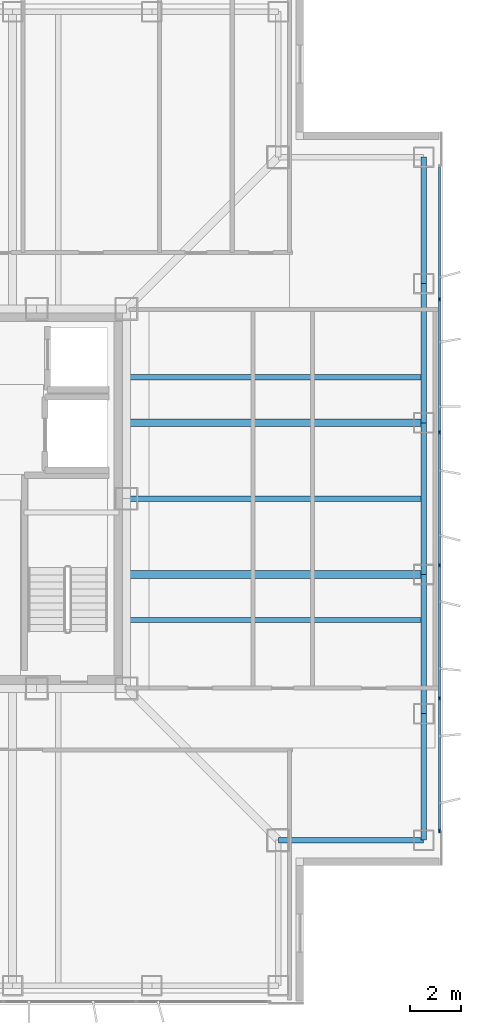
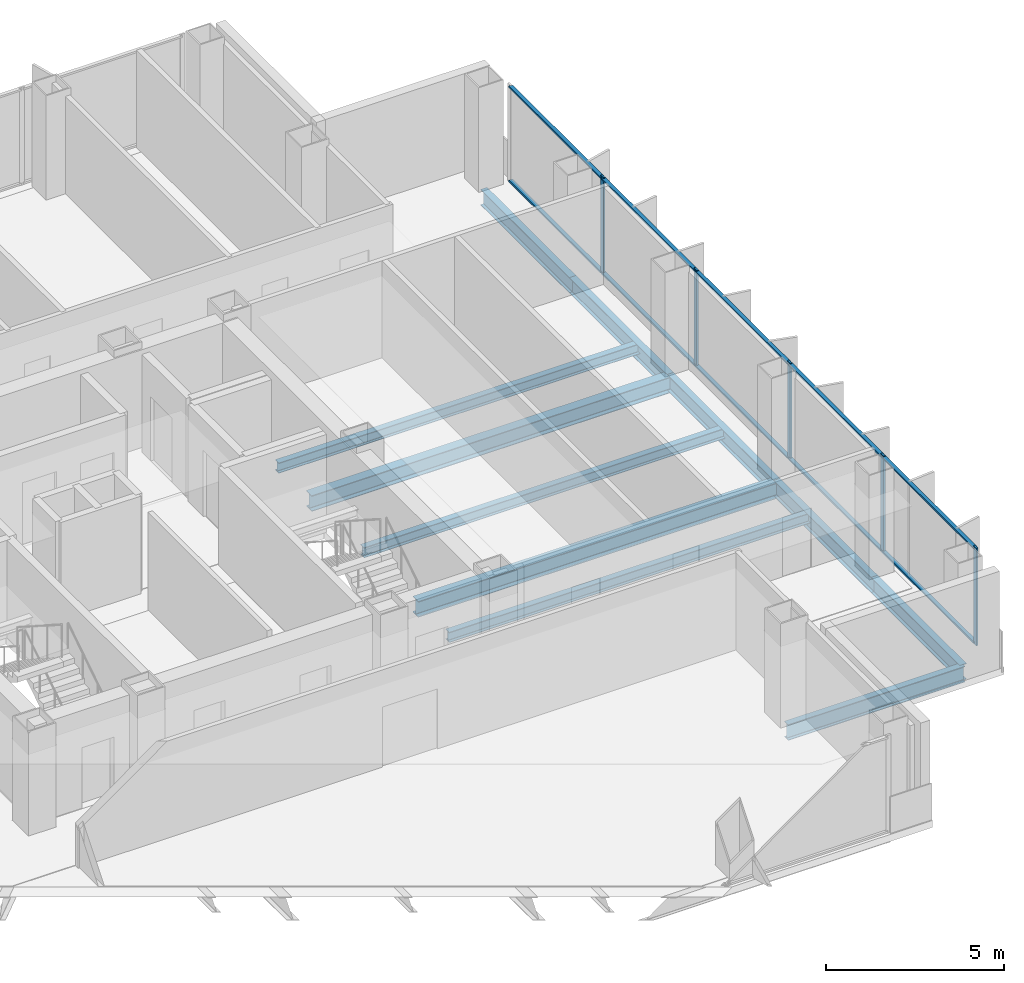
# One storey, part 6 of 17: 15 members, 11 beams, 1 element without a shape of its own.
"""IFC4 building model written with IfcOpenShell, lengths in metres."""

from ifc_helpers import new_model, si_unit, direction, frame, origin, origin_2d, place, context, subcontext, project, spatial, rectangle, i_section, extrude, material, layer, layer_set, material_profile, profile_set, type_object, element, aggregate, save


model = new_model("IFC4")

# Units and contexts
model_context = context("Model", 3, precision=1e-05, world=origin(), true_north=direction((0.0, 1.0)))
body_context = subcontext(model_context, "Body", "Model", "MODEL_VIEW")
ifc_project = project(units=[si_unit("LENGTHUNIT", "METRE"), si_unit("AREAUNIT", "SQUARE_METRE"), si_unit("VOLUMEUNIT", "CUBIC_METRE"), si_unit("PLANEANGLEUNIT", "RADIAN"), si_unit("MASSUNIT", "GRAM", prefix="KILO")], contexts=[model_context])

# Site, building, storey
site_placement = place(None, origin())
site = spatial("IfcSite", under=ifc_project, at=site_placement, CompositionType="ELEMENT")
building_placement = place(site_placement, origin())
building = spatial("IfcBuilding", under=site, at=building_placement, Name="Trevonay Congress Spire", CompositionType="ELEMENT")
storey_placement = place(building_placement, frame((0.0, 0.0, 184.199951171875)))
storey = spatial("IfcBuildingStorey", under=building, at=storey_placement, Name="L47", CompositionType="ELEMENT", Elevation=184.199951171875)

# Beams
ifc_material_1 = material(Name="Steel ASTM A572 Grade 50", Category="steel")
ifc_material_profile_1 = material_profile(ifc_material_1, i_section(OverallWidth=0.31201171875, OverallDepth=0.54296875, WebThickness=0.0126953125, FlangeThickness=0.020263671875, FilletRadius=0.014892578125, at=origin_2d()), Name="W530x150")
ifc_profile_set_1 = profile_set([ifc_material_profile_1], Name="Steel ASTM A572 Grade 50")
beam_type_1 = type_object("IfcBeamType", Name="BM-GIRD-W530X150", PredefinedType="BEAM", material=ifc_profile_set_1)
for number, where, z_axis, x_axis, name in (
    (1, (7.5, -3.0, -0.511474609375), (1.0, 0.0, 0.0), (0.0, 1.0, 0.0), "L47 structural beam BM-L47-GE-M"),
    (2, (7.5, 3.0, -0.511474609375), (1.0, 0.0, 0.0), (0.0, 1.0, 0.0), "L47 structural beam BM-L47-GE-P"),
):
    element("IfcBeam", number, at=place(storey_placement, frame(where, z_axis=z_axis, x_axis=x_axis)), inside=storey, type_object=beam_type_1, Name=name, PredefinedType="BEAM", context=body_context, shape_type="SweptSolid", body=[
        extrude(i_section(OverallWidth=0.31201171875, OverallDepth=0.54296875, WebThickness=0.0126953125, FlangeThickness=0.020263671875, FilletRadius=0.014892578125, at=origin_2d()), origin(), (0.0, 0.0, 1.0), 11.75),
    ])
ifc_material_profile_2 = material_profile(ifc_material_1, i_section(OverallWidth=0.2119140625, OverallDepth=0.5439453125, WebThickness=0.01318359375, FlangeThickness=0.021240234375, FilletRadius=0.014892578125, at=origin_2d()), Name="W530x123")
ifc_profile_set_2 = profile_set([ifc_material_profile_2], Name="Steel ASTM A572 Grade 50")
beam_type_2 = type_object("IfcBeamType", Name="BM-RING-W530X123", PredefinedType="BEAM", material=ifc_profile_set_2)
beam_1_placement = place(storey_placement, frame((19.25, -13.5, -0.511962890625), z_axis=(0.0, 1.0, 0.0), x_axis=(-1.0, 0.0, 0.0)))
element("IfcBeam", 3, at=beam_1_placement, inside=storey, type_object=beam_type_2, Name="L47 structural beam BM-L47-PE1", PredefinedType="BEAM", context=body_context, shape_type="SweptSolid", body=[
    extrude(i_section(OverallWidth=0.2119140625, OverallDepth=0.5439453125, WebThickness=0.01318359375, FlangeThickness=0.021240234375, FilletRadius=0.014892578125, at=origin_2d()), origin(), (0.0, 0.0, 1.0), 5.0),
])
beam_2_placement = place(storey_placement, frame((19.25, -8.5, -0.511962890625), z_axis=(0.0, 1.0, 0.0), x_axis=(-1.0, 0.0, 0.0)))
element("IfcBeam", 4, at=beam_2_placement, inside=storey, type_object=beam_type_2, Name="L47 structural beam BM-L47-PE2", PredefinedType="BEAM", context=body_context, shape_type="SweptSolid", body=[
    extrude(i_section(OverallWidth=0.2119140625, OverallDepth=0.5439453125, WebThickness=0.01318359375, FlangeThickness=0.021240234375, FilletRadius=0.014892578125, at=origin_2d()), origin(), (0.0, 0.0, 1.0), 5.5),
])
beam_3_placement = place(storey_placement, frame((19.25, -3.0, -0.511962890625), z_axis=(0.0, 1.0, 0.0), x_axis=(-1.0, 0.0, 0.0)))
element("IfcBeam", 5, at=beam_3_placement, inside=storey, type_object=beam_type_2, Name="L47 structural beam BM-L47-PE3", PredefinedType="BEAM", context=body_context, shape_type="SweptSolid", body=[
    extrude(i_section(OverallWidth=0.2119140625, OverallDepth=0.5439453125, WebThickness=0.01318359375, FlangeThickness=0.021240234375, FilletRadius=0.014892578125, at=origin_2d()), origin(), (0.0, 0.0, 1.0), 6.0),
])
beam_4_placement = place(storey_placement, frame((19.25, 3.0, -0.511962890625), z_axis=(0.0, 1.0, 0.0), x_axis=(-1.0, 0.0, 0.0)))
element("IfcBeam", 6, at=beam_4_placement, inside=storey, type_object=beam_type_2, Name="L47 structural beam BM-L47-PE4", PredefinedType="BEAM", context=body_context, shape_type="SweptSolid", body=[
    extrude(i_section(OverallWidth=0.2119140625, OverallDepth=0.5439453125, WebThickness=0.01318359375, FlangeThickness=0.021240234375, FilletRadius=0.014892578125, at=origin_2d()), origin(), (0.0, 0.0, 1.0), 5.5),
])
beam_5_placement = place(storey_placement, frame((19.25, 8.5, -0.511962890625), z_axis=(0.0, 1.0, 0.0), x_axis=(-1.0, 0.0, 0.0)))
element("IfcBeam", 7, at=beam_5_placement, inside=storey, type_object=beam_type_2, Name="L47 structural beam BM-L47-PE5", PredefinedType="BEAM", context=body_context, shape_type="SweptSolid", body=[
    extrude(i_section(OverallWidth=0.2119140625, OverallDepth=0.5439453125, WebThickness=0.01318359375, FlangeThickness=0.021240234375, FilletRadius=0.014892578125, at=origin_2d()), origin(), (0.0, 0.0, 1.0), 5.0),
])
beam_6_placement = place(storey_placement, frame((19.25, -13.5, -0.511962890625), z_axis=(-1.0, 0.0, 0.0), x_axis=(0.0, -1.0, 0.0)))
element("IfcBeam", 8, at=beam_6_placement, inside=storey, type_object=beam_type_2, Name="L47 structural beam BM-L47-N2SE", PredefinedType="BEAM", context=body_context, shape_type="SweptSolid", body=[
    extrude(i_section(OverallWidth=0.2119140625, OverallDepth=0.5439453125, WebThickness=0.01318359375, FlangeThickness=0.021240234375, FilletRadius=0.014892578125, at=origin_2d()), origin(), (0.0, 0.0, 1.0), 5.75),
])

# Curtain wall, members
ifc_material_2 = material(Name="Pale Anodised Aluminium EN AW-6063-T6", Category="aluminium")
ifc_layer = layer(ifc_material_2, 0.169921875, Name="Pale Anodised Aluminium EN AW-6063-T6")
ifc_layer_set = layer_set([ifc_layer], Name="Pale Anodised Aluminium EN AW-6063-T6")
curtain_wall_type = type_object("IfcCurtainWallType", Name="CW-SYS04-CORP-PALE-METAL", PredefinedType="NOTDEFINED", material=ifc_layer_set)
curtain_wall_placement = place(storey_placement, origin())
curtain_wall = element("IfcCurtainWall", 9, at=curtain_wall_placement, inside=storey, type_object=curtain_wall_type, Name="L47 E unitised curtain wall", PredefinedType="NOTDEFINED")
ifc_material_profile_3 = material_profile(ifc_material_2, rectangle(XDim=0.06005859375, YDim=0.159912109375, at=origin_2d()), Name="CW-MULLION-160-ALUMINIUM")
ifc_profile_set_3 = profile_set([ifc_material_profile_3], Name="Pale Anodised Aluminium EN AW-6063-T6")
member_type_1 = type_object("IfcMemberType", Name="CW-MULLION-160-ALUMINIUM", PredefinedType="MULLION", material=ifc_profile_set_3)
member_1_placement = place(storey_placement, frame((19.8798828125, -13.1201171875, 0.0), z_axis=(0.0, 0.0, 1.0), x_axis=(-1.0, 0.0, 0.0)))
member_1 = element("IfcMember", 10, at=member_1_placement, type_object=member_type_1, Name="CW04 mullion 1", PredefinedType="MULLION", context=body_context, shape_type="SweptSolid", body=[
    extrude(rectangle(XDim=0.06005859375, YDim=0.159912109375, at=origin_2d()), origin(), (0.0, 0.0, 1.0), 3.360107421875),
])
member_2_placement = place(storey_placement, frame((19.8798828125, -7.889892578125, 0.0), z_axis=(0.0, 0.0, 1.0), x_axis=(-1.0, 0.0, 0.0)))
member_2 = element("IfcMember", 11, at=member_2_placement, type_object=member_type_1, Name="CW04 mullion 2", PredefinedType="MULLION", context=body_context, shape_type="SweptSolid", body=[
    extrude(rectangle(XDim=0.06005859375, YDim=0.159912109375, at=origin_2d()), origin(), (0.0, 0.0, 1.0), 3.360107421875),
])
member_3_placement = place(storey_placement, frame((19.8798828125, -2.6298828125, 0.0), z_axis=(0.0, 0.0, 1.0), x_axis=(-1.0, 0.0, 0.0)))
member_3 = element("IfcMember", 12, at=member_3_placement, type_object=member_type_1, Name="CW04 mullion 3", PredefinedType="MULLION", context=body_context, shape_type="SweptSolid", body=[
    extrude(rectangle(XDim=0.06005859375, YDim=0.159912109375, at=origin_2d()), origin(), (0.0, 0.0, 1.0), 3.360107421875),
])
member_4_placement = place(storey_placement, frame((19.8798828125, 2.6298828125, 0.0), z_axis=(0.0, 0.0, 1.0), x_axis=(-1.0, 0.0, 0.0)))
member_4 = element("IfcMember", 13, at=member_4_placement, type_object=member_type_1, Name="CW04 mullion 4", PredefinedType="MULLION", context=body_context, shape_type="SweptSolid", body=[
    extrude(rectangle(XDim=0.06005859375, YDim=0.159912109375, at=origin_2d()), origin(), (0.0, 0.0, 1.0), 3.360107421875),
])
member_5_placement = place(storey_placement, frame((19.8798828125, 7.889892578125, 0.0), z_axis=(0.0, 0.0, 1.0), x_axis=(-1.0, 0.0, 0.0)))
member_5 = element("IfcMember", 14, at=member_5_placement, type_object=member_type_1, Name="CW04 mullion 5", PredefinedType="MULLION", context=body_context, shape_type="SweptSolid", body=[
    extrude(rectangle(XDim=0.06005859375, YDim=0.159912109375, at=origin_2d()), origin(), (0.0, 0.0, 1.0), 3.360107421875),
])
ifc_material_profile_4 = material_profile(ifc_material_2, rectangle(XDim=0.1201171875, YDim=0.06005859375, at=origin_2d()), Name="CW-TRANSOM-120-ALUMINIUM")
ifc_profile_set_4 = profile_set([ifc_material_profile_4], Name="Pale Anodised Aluminium EN AW-6063-T6")
member_type_2 = type_object("IfcMemberType", Name="CW-TRANSOM-120-ALUMINIUM", PredefinedType="USERDEFINED", material=ifc_profile_set_4)
member_6_placement = place(storey_placement, frame((19.8798828125, -13.090087890625, 0.06005859375), z_axis=(0.0, 1.0, 0.0), x_axis=(-1.0, 0.0, 0.0)))
member_6 = element("IfcMember", 15, at=member_6_placement, type_object=member_type_2, Name="CW04 transom 1.1", ObjectType="TRANSOM", PredefinedType="USERDEFINED", context=body_context, shape_type="SweptSolid", body=[
    extrude(rectangle(XDim=0.1201171875, YDim=0.06005859375, at=origin_2d()), origin(), (0.0, 0.0, 1.0), 5.170166015625),
])
member_7_placement = place(storey_placement, frame((19.8798828125, -13.090087890625, 3.300048828125), z_axis=(0.0, 1.0, 0.0), x_axis=(-1.0, 0.0, 0.0)))
member_7 = element("IfcMember", 16, at=member_7_placement, type_object=member_type_2, Name="CW04 transom 1.2", ObjectType="TRANSOM", PredefinedType="USERDEFINED", context=body_context, shape_type="SweptSolid", body=[
    extrude(rectangle(XDim=0.1201171875, YDim=0.06005859375, at=origin_2d()), origin(), (0.0, 0.0, 1.0), 5.170166015625),
])
member_8_placement = place(storey_placement, frame((19.8798828125, -7.860107421875, 0.06005859375), z_axis=(0.0, 1.0, 0.0), x_axis=(-1.0, 0.0, 0.0)))
member_8 = element("IfcMember", 17, at=member_8_placement, type_object=member_type_2, Name="CW04 transom 2.1", ObjectType="TRANSOM", PredefinedType="USERDEFINED", context=body_context, shape_type="SweptSolid", body=[
    extrude(rectangle(XDim=0.1201171875, YDim=0.06005859375, at=origin_2d()), origin(), (0.0, 0.0, 1.0), 5.2001953125),
])
member_9_placement = place(storey_placement, frame((19.8798828125, -7.860107421875, 3.300048828125), z_axis=(0.0, 1.0, 0.0), x_axis=(-1.0, 0.0, 0.0)))
member_9 = element("IfcMember", 18, at=member_9_placement, type_object=member_type_2, Name="CW04 transom 2.2", ObjectType="TRANSOM", PredefinedType="USERDEFINED", context=body_context, shape_type="SweptSolid", body=[
    extrude(rectangle(XDim=0.1201171875, YDim=0.06005859375, at=origin_2d()), origin(), (0.0, 0.0, 1.0), 5.2001953125),
])
member_10_placement = place(storey_placement, frame((19.8798828125, -2.60009765625, 0.06005859375), z_axis=(0.0, 1.0, 0.0), x_axis=(-1.0, 0.0, 0.0)))
member_10 = element("IfcMember", 19, at=member_10_placement, type_object=member_type_2, Name="CW04 transom 3.1", ObjectType="TRANSOM", PredefinedType="USERDEFINED", context=body_context, shape_type="SweptSolid", body=[
    extrude(rectangle(XDim=0.1201171875, YDim=0.06005859375, at=origin_2d()), origin(), (0.0, 0.0, 1.0), 5.2001953125),
])
member_11_placement = place(storey_placement, frame((19.8798828125, -2.60009765625, 3.300048828125), z_axis=(0.0, 1.0, 0.0), x_axis=(-1.0, 0.0, 0.0)))
member_11 = element("IfcMember", 20, at=member_11_placement, type_object=member_type_2, Name="CW04 transom 3.2", ObjectType="TRANSOM", PredefinedType="USERDEFINED", context=body_context, shape_type="SweptSolid", body=[
    extrude(rectangle(XDim=0.1201171875, YDim=0.06005859375, at=origin_2d()), origin(), (0.0, 0.0, 1.0), 5.2001953125),
])
member_12_placement = place(storey_placement, frame((19.8798828125, 2.659912109375, 0.06005859375), z_axis=(0.0, 1.0, 0.0), x_axis=(-1.0, 0.0, 0.0)))
member_12 = element("IfcMember", 21, at=member_12_placement, type_object=member_type_2, Name="CW04 transom 4.1", ObjectType="TRANSOM", PredefinedType="USERDEFINED", context=body_context, shape_type="SweptSolid", body=[
    extrude(rectangle(XDim=0.1201171875, YDim=0.06005859375, at=origin_2d()), origin(), (0.0, 0.0, 1.0), 5.2001953125),
])
member_13_placement = place(storey_placement, frame((19.8798828125, 2.659912109375, 3.300048828125), z_axis=(0.0, 1.0, 0.0), x_axis=(-1.0, 0.0, 0.0)))
member_13 = element("IfcMember", 22, at=member_13_placement, type_object=member_type_2, Name="CW04 transom 4.2", ObjectType="TRANSOM", PredefinedType="USERDEFINED", context=body_context, shape_type="SweptSolid", body=[
    extrude(rectangle(XDim=0.1201171875, YDim=0.06005859375, at=origin_2d()), origin(), (0.0, 0.0, 1.0), 5.2001953125),
])
member_14_placement = place(storey_placement, frame((19.8798828125, 7.919921875, 0.06005859375), z_axis=(0.0, 1.0, 0.0), x_axis=(-1.0, 0.0, 0.0)))
member_14 = element("IfcMember", 23, at=member_14_placement, type_object=member_type_2, Name="CW04 transom 5.1", ObjectType="TRANSOM", PredefinedType="USERDEFINED", context=body_context, shape_type="SweptSolid", body=[
    extrude(rectangle(XDim=0.1201171875, YDim=0.06005859375, at=origin_2d()), origin(), (0.0, 0.0, 1.0), 5.170166015625),
])
member_15_placement = place(storey_placement, frame((19.8798828125, 7.919921875, 3.300048828125), z_axis=(0.0, 1.0, 0.0), x_axis=(-1.0, 0.0, 0.0)))
member_15 = element("IfcMember", 24, at=member_15_placement, type_object=member_type_2, Name="CW04 transom 5.2", ObjectType="TRANSOM", PredefinedType="USERDEFINED", context=body_context, shape_type="SweptSolid", body=[
    extrude(rectangle(XDim=0.1201171875, YDim=0.06005859375, at=origin_2d()), origin(), (0.0, 0.0, 1.0), 5.170166015625),
])
aggregate(curtain_wall, [member_1, member_2, member_3, member_4, member_5, member_6, member_7, member_8, member_9, member_10, member_11, member_12, member_13, member_14, member_15])

# Beams
ifc_material_profile_5 = material_profile(ifc_material_1, i_section(OverallWidth=0.205078125, OverallDepth=0.35400390625, WebThickness=0.009521484375, FlangeThickness=0.016845703125, FilletRadius=0.011962890625, at=origin_2d()), Name="W360x79")
ifc_profile_set_5 = profile_set([ifc_material_profile_5], Name="Steel ASTM A572 Grade 50")
beam_type_3 = type_object("IfcBeamType", Name="JS-COMP-W360X79", PredefinedType="JOIST", material=ifc_profile_set_5)
for number, where, z_axis, x_axis, name in (
    (25, (7.5, -4.800048828125, -0.4169921875), (1.0, 0.0, 0.0), (0.0, 1.0, 0.0), "L47 structural beam JS-L47-EW-E1"),
    (26, (7.5, 0.0, -0.4169921875), (1.0, 0.0, 0.0), (0.0, 1.0, 0.0), "L47 structural beam JS-L47-EW-E2"),
    (27, (7.5, 4.800048828125, -0.4169921875), (1.0, 0.0, 0.0), (0.0, 1.0, 0.0), "L47 structural beam JS-L47-EW-E3"),
):
    element("IfcBeam", number, at=place(storey_placement, frame(where, z_axis=z_axis, x_axis=x_axis)), inside=storey, type_object=beam_type_3, Name=name, PredefinedType="JOIST", context=body_context, shape_type="SweptSolid", body=[
        extrude(i_section(OverallWidth=0.205078125, OverallDepth=0.35400390625, WebThickness=0.009521484375, FlangeThickness=0.016845703125, FilletRadius=0.011962890625, at=origin_2d()), origin(), (0.0, 0.0, 1.0), 11.75),
    ])

save(model, "model.ifc")
